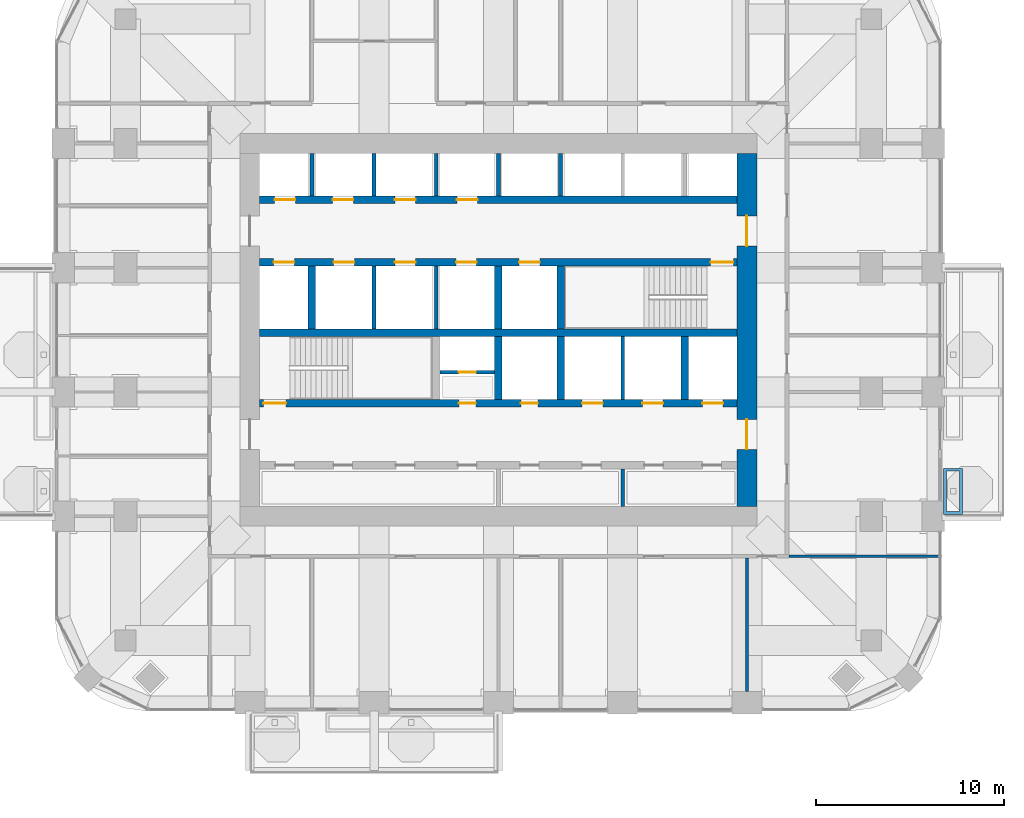
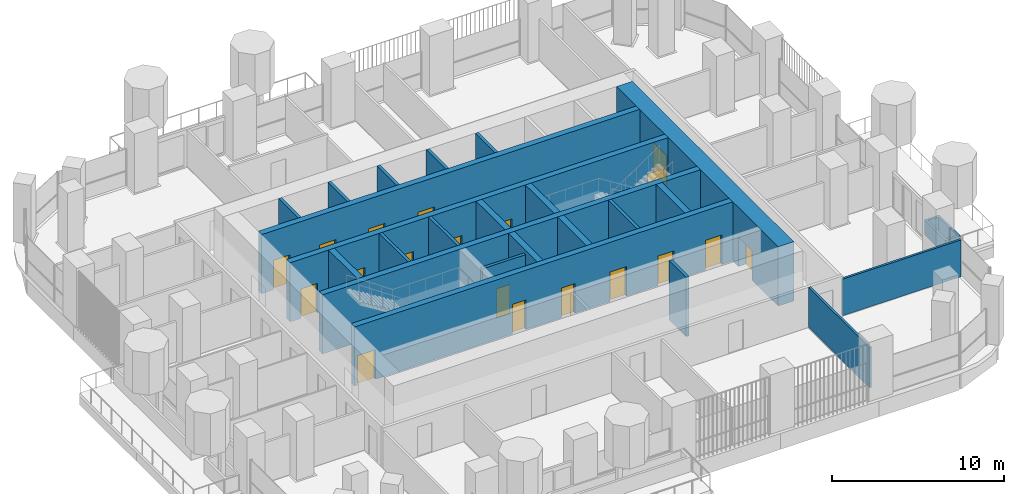
# One storey, part 13 of 20: 24 walls, 19 doors, 19 openings.
"""IFC4 building model written with IfcOpenShell, lengths in metres."""

import ifcopenshell
import ifcopenshell.guid

model = None  # the IFC model being written
_history = None  # IfcOwnerHistory: only IFC2X3 demands one
_inside = {}  # id of a spatial element -> (the spatial element, [elements in it])
_under = {}  # id of a project, library or spatial element -> (it, [spatial elements below it])
_declared = {}  # id of a project -> (the project, [libraries it declares])
_typed = {}  # id of a type object -> (the type object, [elements of that type])
_made_of = {}  # id of a material, layer set ... -> (it, [elements and type objects made of it])


def new_model(schema):
    """Start an empty IFC model of exactly this schema.

    Asked for "IFC4X3", IfcOpenShell would pick the latest addendum, in which some entities
    have other attributes; the version numbers below select the first issue.
    IFC2X3 requires an IfcOwnerHistory on every rooted entity: one is made here for all.
    """
    global model, _history
    if schema == "IFC4X3":
        model = ifcopenshell.file(schema_version=(4, 3, 0, 0))
    else:
        model = ifcopenshell.file(schema=schema)
    _inside.clear()
    _under.clear()
    _declared.clear()
    _typed.clear()
    _made_of.clear()
    _history = None
    if model.schema == "IFC2X3":
        org = make("IfcOrganization", Name="unknown")
        user = make(
            "IfcPersonAndOrganization",
            ThePerson=make("IfcPerson", FamilyName="unknown"),
            TheOrganization=org,
        )
        app = make(
            "IfcApplication",
            ApplicationDeveloper=org,
            Version="unknown",
            ApplicationFullName="unknown",
            ApplicationIdentifier="unknown",
        )
        _history = make(
            "IfcOwnerHistory",
            OwningUser=user,
            OwningApplication=app,
            ChangeAction="ADDED",
            CreationDate=0,
        )
    return model


def make(cls, **values):
    """One entity of the class cls with the attributes given. An attribute that is None is left unset."""
    return model.create_entity(
        cls, **{name: value for name, value in values.items() if value is not None}
    )


def rooted(cls, **values):
    """An entity with a GlobalId (a new one), such as an element, a storey or a relation."""
    return make(cls, GlobalId=ifcopenshell.guid.new(), OwnerHistory=_history, **values)


def si_unit(unit_type, name, prefix=None):
    """IfcSIUnit, for example si_unit("LENGTHUNIT", "METRE", prefix="MILLI")."""
    return make("IfcSIUnit", UnitType=unit_type, Prefix=prefix, Name=name)


def assignment(units):
    """IfcUnitAssignment: the units of a project."""
    return None if units is None else make("IfcUnitAssignment", Units=units)


def point(xyz):
    """IfcCartesianPoint."""
    return None if xyz is None else make("IfcCartesianPoint", Coordinates=xyz)


def direction(xyz):
    """IfcDirection."""
    return None if xyz is None else make("IfcDirection", DirectionRatios=xyz)


def frame(location, z_axis=None, x_axis=None):
    """IfcAxis2Placement3D, a coordinate frame: its origin and axes. An axis left out is left unset."""
    return make(
        "IfcAxis2Placement3D",
        Location=point(location),
        Axis=direction(z_axis),
        RefDirection=direction(x_axis),
    )


def frame_2d(location, x_axis=None):
    """IfcAxis2Placement2D, a coordinate frame in the plane: its origin and x axis."""
    return make(
        "IfcAxis2Placement2D", Location=point(location), RefDirection=direction(x_axis)
    )


def origin():
    """The frame at (0, 0, 0) with its axes left unset."""
    return frame((0.0, 0.0, 0.0))


def place(relative_to, where):
    """IfcLocalPlacement: puts the frame where relative to a parent placement (None: the world)."""
    return make(
        "IfcLocalPlacement", PlacementRelTo=relative_to, RelativePlacement=where
    )


def context(
    kind, dimensions, precision=None, world=None, true_north=None, identifier=None
):
    """IfcGeometricRepresentationContext, for example the 3D "Model" context."""
    return make(
        "IfcGeometricRepresentationContext",
        ContextIdentifier=identifier,
        ContextType=kind,
        CoordinateSpaceDimension=dimensions,
        Precision=precision,
        WorldCoordinateSystem=world,
        TrueNorth=true_north,
    )


def subcontext(parent, identifier, kind, view, scale=None):
    """IfcGeometricRepresentationSubContext, for example "Body" below "Model"."""
    return make(
        "IfcGeometricRepresentationSubContext",
        ContextIdentifier=identifier,
        ContextType=kind,
        ParentContext=parent,
        TargetScale=scale,
        TargetView=view,
    )


def project(units=None, contexts=None):
    """IfcProject with its units and contexts."""
    return rooted(
        "IfcProject",
        Name="project",
        RepresentationContexts=contexts,
        UnitsInContext=assignment(units),
    )


def spatial(cls, under=None, at=None, **own):
    """A site, building, storey or space (cls), placed at a placement, below another one or the project."""
    s = rooted(cls, ObjectPlacement=at, **own)
    if under is not None:
        _under.setdefault(under.id(), (under, []))[1].append(s)
    return s


def polyline(points):
    """IfcPolyline through the points."""
    return make("IfcPolyline", Points=[point(p) for p in points])


def profile(cls, at=None, kind="AREA", **sizes):
    """A parametric profile (cls). Its sizes go by their IFC names, for example OverallWidth=200.0."""
    return make(cls, ProfileType=kind, Position=at, **sizes)


def rectangle(**sizes):
    """IfcRectangleProfileDef."""
    return profile("IfcRectangleProfileDef", **sizes)


def outline(outer, holes=None, kind="AREA"):
    """IfcArbitraryClosedProfileDef: a profile drawn as a closed curve; with holes, ...WithVoids."""
    if holes is None:
        return make("IfcArbitraryClosedProfileDef", ProfileType=kind, OuterCurve=outer)
    return make(
        "IfcArbitraryProfileDefWithVoids",
        ProfileType=kind,
        OuterCurve=outer,
        InnerCurves=holes,
    )


def extrude(swept, where, along, depth):
    """IfcExtrudedAreaSolid: the profile swept, set in the frame where, extruded along a direction by depth."""
    return make(
        "IfcExtrudedAreaSolid",
        SweptArea=swept,
        Position=where,
        ExtrudedDirection=direction(along),
        Depth=depth,
    )


def shape(context_of_items, identifier, shape_type, items):
    """IfcShapeRepresentation: the items that make up one representation, for example the "Body"."""
    return make(
        "IfcShapeRepresentation",
        ContextOfItems=context_of_items,
        RepresentationIdentifier=identifier,
        RepresentationType=shape_type,
        Items=items,
    )


def material(Name=None, Category=None):
    """IfcMaterial."""
    return make("IfcMaterial", Name=Name, Category=Category)


def layer(
    of_material, thickness, ventilated=None, Name=None, Category=None, Priority=None
):
    """IfcMaterialLayer: one layer of a wall or slab, of a material (None: an air gap)."""
    return make(
        "IfcMaterialLayer",
        Material=of_material,
        LayerThickness=thickness,
        IsVentilated=ventilated,
        Name=Name,
        Category=Category,
        Priority=Priority,
    )


def layer_set(layers, Name=None):
    """IfcMaterialLayerSet."""
    return make("IfcMaterialLayerSet", MaterialLayers=layers, LayerSetName=Name)


def made_of(thing, what):
    """Note that an element or type object is made of a material, layer set ...; save() writes the relation."""
    if what is not None:
        _made_of.setdefault(what.id(), (what, []))[1].append(thing)
    return thing


def type_object(cls, material=None, **own):
    """A type object (cls), such as IfcWallType, which elements share."""
    return made_of(rooted(cls, **own), material)


def element(
    cls,
    number,
    at=None,
    inside=None,
    cuts=None,
    type_object=None,
    material=None,
    context=None,
    identifier="Body",
    shape_type=None,
    held_by="IfcProductDefinitionShape",
    body=None,
    shapes=None,
    **own,
):
    """One element of the class cls, such as IfcWall. Its Tag is "e" and its number.

    at: its placement. inside: the storey or other place that contains it. cuts: it is an
    opening in that element (IfcRelVoidsElement). A single representation is given by context,
    identifier, shape_type and body (its items); several are given by shapes. held_by: the class
    of the entity that holds the representations. save() writes the other relations.
    """
    e = rooted(cls, Tag="e%d" % number, ObjectPlacement=at, **own)
    if body is not None:
        shapes = [shape(context, identifier, shape_type, body)]
    if shapes is not None:
        e.Representation = make(held_by, Representations=shapes)
    if inside is not None:
        _inside.setdefault(inside.id(), (inside, []))[1].append(e)
    if cuts is not None:
        rooted(
            "IfcRelVoidsElement", RelatingBuildingElement=cuts, RelatedOpeningElement=e
        )
    if type_object is not None:
        _typed.setdefault(type_object.id(), (type_object, []))[1].append(e)
    return made_of(e, material)


def fill(opening, filler):
    """IfcRelFillsElement: the door or window that sits in an opening."""
    return rooted(
        "IfcRelFillsElement",
        RelatingOpeningElement=opening,
        RelatedBuildingElement=filler,
    )


def aggregate(whole, parts):
    """IfcRelAggregates: a whole, such as a stair, and the parts it consists of."""
    return rooted("IfcRelAggregates", RelatingObject=whole, RelatedObjects=parts)


def save(model, path):
    """Write the relations noted so far, then the file.

    IfcRelAggregates (storeys below a building ...), IfcRelContainedInSpatialStructure (elements
    in a storey), IfcRelDefinesByType, IfcRelAssociatesMaterial and IfcRelDeclares: one each for
    every whole, place, type object, material and project.
    """
    for whole, parts in _under.values():
        aggregate(whole, parts)
    for where, things in _inside.values():
        rooted(
            "IfcRelContainedInSpatialStructure",
            RelatedElements=things,
            RelatingStructure=where,
        )
    for kind, things in _typed.values():
        rooted("IfcRelDefinesByType", RelatedObjects=things, RelatingType=kind)
    for what, things in _made_of.values():
        rooted("IfcRelAssociatesMaterial", RelatedObjects=things, RelatingMaterial=what)
    for by, libraries in _declared.values():
        rooted("IfcRelDeclares", RelatingContext=by, RelatedDefinitions=libraries)
    model.write(path)


model = new_model("IFC4")

# Units and contexts
model_context = context("Model", 3, precision=1e-05, world=origin(), true_north=direction((0.0, 1.0)))
body_context = subcontext(model_context, "Body", "Model", "MODEL_VIEW")
ifc_project = project(units=[si_unit("LENGTHUNIT", "METRE"), si_unit("AREAUNIT", "SQUARE_METRE"), si_unit("VOLUMEUNIT", "CUBIC_METRE"), si_unit("PLANEANGLEUNIT", "RADIAN"), si_unit("MASSUNIT", "GRAM", prefix="KILO")], contexts=[model_context])

# Site, building, storey
site_placement = place(None, origin())
site = spatial("IfcSite", under=ifc_project, at=site_placement, CompositionType="ELEMENT")
building_placement = place(site_placement, origin())
building = spatial("IfcBuilding", under=site, at=building_placement, Name="Cobogo Forest Laboratory Tower", CompositionType="ELEMENT")
storey_placement = place(building_placement, frame((0.0, 0.0, 210.300048828125)))
storey = spatial("IfcBuildingStorey", under=building, at=storey_placement, Name="L48", CompositionType="ELEMENT", Elevation=210.300048828125)

# Wall, openings, doors
ifc_material_1 = material(Name="Concrete HA-50 (C50/60)", Category="concrete")
ifc_layer_1 = layer(ifc_material_1, 0.39990234375)
ifc_layer_set_1 = layer_set([ifc_layer_1], Name="CI400 core inner wall 400")
wall_type_1 = type_object("IfcWallType", Name="CI400 core inner wall 400", PredefinedType="SHEAR", material=ifc_layer_set_1)
wall_1_placement = place(storey_placement, frame((13.72509765625, 19.199951171875, 0.0), z_axis=(0.0, 0.0, 1.0), x_axis=(1.0, 0.0, 0.0)))
wall_1 = element("IfcWall", 1, at=wall_1_placement, inside=storey, type_object=wall_type_1, Name="Core wall CI-19.2 L48", PredefinedType="SHEAR", context=body_context, shape_type="SweptSolid", body=[
    extrude(rectangle(XDim=25.349853515625, YDim=0.39990234375, at=frame_2d((12.6748046875, 0.0))), origin(), (0.0, 0.0, 1.0), 4.199951171875),
])
opening_1_placement = place(wall_1_placement, frame((10.574951171875, 0.0, 0.0)))
opening_1 = element("IfcOpeningElement", 2, at=opening_1_placement, cuts=wall_1, Name="Opening L48-D24", PredefinedType="OPENING", context=body_context, shape_type="SweptSolid", body=[
    extrude(rectangle(XDim=0.89990234375, YDim=2.10009765625, at=frame_2d((0.449951171875, 1.050048828125))), frame((0.0, 0.2099609375, 0.0), z_axis=(0.0, -1.0, 0.0), x_axis=(1.0, 0.0, 0.0)), (0.0, 0.0, 1.0), 0.419921875),
])
opening_2_placement = place(wall_1_placement, frame((13.875, 0.0, 0.0)))
opening_2 = element("IfcOpeningElement", 3, at=opening_2_placement, cuts=wall_1, Name="Opening L48-D25", PredefinedType="OPENING", context=body_context, shape_type="SweptSolid", body=[
    extrude(rectangle(XDim=0.89990234375, YDim=2.10009765625, at=frame_2d((0.449951171875, 1.050048828125))), frame((0.0, 0.2099609375, 0.0), z_axis=(0.0, -1.0, 0.0), x_axis=(1.0, 0.0, 0.0)), (0.0, 0.0, 1.0), 0.419921875),
])
opening_3_placement = place(wall_1_placement, frame((0.199951171875, 0.0, 0.0)))
opening_3 = element("IfcOpeningElement", 4, at=opening_3_placement, cuts=wall_1, Name="Opening L48-D23", PredefinedType="OPENING", context=body_context, shape_type="SweptSolid", body=[
    extrude(rectangle(XDim=1.199951171875, YDim=2.10009765625, at=frame_2d((0.60009765625, 1.050048828125))), frame((0.0, 0.2099609375, 0.0), z_axis=(0.0, -1.0, 0.0), x_axis=(1.0, 0.0, 0.0)), (0.0, 0.0, 1.0), 0.419921875),
])
opening_4_placement = place(wall_1_placement, frame((23.512451171875, 0.0, 0.0)))
opening_4 = element("IfcOpeningElement", 5, at=opening_4_placement, cuts=wall_1, Name="Opening L48-LD-FL2", PredefinedType="OPENING", context=body_context, shape_type="SweptSolid", body=[
    extrude(rectangle(XDim=1.10009765625, YDim=2.10009765625, at=frame_2d((0.550048828125, 1.050048828125))), frame((0.0, 0.2099609375, 0.0), z_axis=(0.0, -1.0, 0.0), x_axis=(1.0, 0.0, 0.0)), (0.0, 0.0, 1.0), 0.419921875),
])
opening_5_placement = place(wall_1_placement, frame((17.125, 0.0, 0.0)))
opening_5 = element("IfcOpeningElement", 6, at=opening_5_placement, cuts=wall_1, Name="Opening L48-LD-LS1", PredefinedType="OPENING", context=body_context, shape_type="SweptSolid", body=[
    extrude(rectangle(XDim=1.10009765625, YDim=2.10009765625, at=frame_2d((0.550048828125, 1.050048828125))), frame((0.0, 0.2099609375, 0.0), z_axis=(0.0, -1.0, 0.0), x_axis=(1.0, 0.0, 0.0)), (0.0, 0.0, 1.0), 0.419921875),
])
opening_6_placement = place(wall_1_placement, frame((20.324951171875, 0.0, 0.0)))
opening_6 = element("IfcOpeningElement", 7, at=opening_6_placement, cuts=wall_1, Name="Opening L48-LD-LS2", PredefinedType="OPENING", context=body_context, shape_type="SweptSolid", body=[
    extrude(rectangle(XDim=1.10009765625, YDim=2.10009765625, at=frame_2d((0.550048828125, 1.050048828125))), frame((0.0, 0.2099609375, 0.0), z_axis=(0.0, -1.0, 0.0), x_axis=(1.0, 0.0, 0.0)), (0.0, 0.0, 1.0), 0.419921875),
])
ifc_material_2 = material(Name="Steel fire door", Category="steel")
door_type_1 = type_object("IfcDoorType", Name="DS1 protected stair door 1200 EI2 60", OperationType="SINGLE_SWING_LEFT", PredefinedType="DOOR", material=ifc_material_2)
door_1_placement = place(opening_3_placement, origin())
door_1 = element("IfcDoor", 8, at=door_1_placement, inside=storey, type_object=door_type_1, Name="Door L48-ST1", OperationType="SINGLE_SWING_LEFT", OverallHeight=2.10009765625, OverallWidth=1.199951171875, PredefinedType="DOOR", context=body_context, shape_type="SweptSolid", body=[
    extrude(rectangle(XDim=1.199951171875, YDim=2.10009765625, at=frame_2d((0.60009765625, 1.050048828125))), frame((0.0, 0.02490234375, 0.0), z_axis=(0.0, -1.0, 0.0), x_axis=(1.0, 0.0, 0.0)), (0.0, 0.0, 1.0), 0.050048828125),
])
fill(opening_3, door_1)
door_type_2 = type_object("IfcDoorType", Name="FD4 riser access door 900 EI2 60", OperationType="SINGLE_SWING_LEFT", PredefinedType="DOOR", material=ifc_material_2)
door_2_placement = place(opening_1_placement, origin())
door_2 = element("IfcDoor", 9, at=door_2_placement, inside=storey, type_object=door_type_2, Name="Door L48-R1V", OperationType="SINGLE_SWING_LEFT", OverallHeight=2.10009765625, OverallWidth=0.89990234375, PredefinedType="DOOR", context=body_context, shape_type="SweptSolid", body=[
    extrude(rectangle(XDim=0.89990234375, YDim=2.10009765625, at=frame_2d((0.449951171875, 1.050048828125))), frame((0.0, 0.02490234375, 0.0), z_axis=(0.0, -1.0, 0.0), x_axis=(1.0, 0.0, 0.0)), (0.0, 0.0, 1.0), 0.050048828125),
])
fill(opening_1, door_2)
door_3_placement = place(opening_2_placement, origin())
door_3 = element("IfcDoor", 10, at=door_3_placement, inside=storey, type_object=door_type_2, Name="Door L48-R2", OperationType="SINGLE_SWING_RIGHT", OverallHeight=2.10009765625, OverallWidth=0.89990234375, PredefinedType="DOOR", context=body_context, shape_type="SweptSolid", body=[
    extrude(rectangle(XDim=0.89990234375, YDim=2.10009765625, at=frame_2d((0.449951171875, 1.050048828125))), frame((0.0, 0.02490234375, 0.0), z_axis=(0.0, -1.0, 0.0), x_axis=(1.0, 0.0, 0.0)), (0.0, 0.0, 1.0), 0.050048828125),
])
fill(opening_2, door_3)
ifc_material_3 = material(Name="Stainless steel lift door", Category="steel")
door_type_3 = type_object("IfcDoorType", Name="LD lift landing door 1100", OperationType="DOUBLE_DOOR_SLIDING", PredefinedType="DOOR", material=ifc_material_3)
door_4_placement = place(opening_4_placement, origin())
door_4 = element("IfcDoor", 11, at=door_4_placement, inside=storey, type_object=door_type_3, Name="Lift landing door FL2 L48", OperationType="DOUBLE_DOOR_SLIDING", OverallHeight=2.10009765625, OverallWidth=1.10009765625, PredefinedType="DOOR", context=body_context, shape_type="SweptSolid", body=[
    extrude(rectangle(XDim=1.10009765625, YDim=2.10009765625, at=frame_2d((0.550048828125, 1.050048828125))), frame((0.0, 0.02490234375, 0.0), z_axis=(0.0, -1.0, 0.0), x_axis=(1.0, 0.0, 0.0)), (0.0, 0.0, 1.0), 0.050048828125),
])
fill(opening_4, door_4)
door_5_placement = place(opening_5_placement, origin())
door_5 = element("IfcDoor", 12, at=door_5_placement, inside=storey, type_object=door_type_3, Name="Lift landing door LS1 L48", OperationType="DOUBLE_DOOR_SLIDING", OverallHeight=2.10009765625, OverallWidth=1.10009765625, PredefinedType="DOOR", context=body_context, shape_type="SweptSolid", body=[
    extrude(rectangle(XDim=1.10009765625, YDim=2.10009765625, at=frame_2d((0.550048828125, 1.050048828125))), frame((0.0, 0.02490234375, 0.0), z_axis=(0.0, -1.0, 0.0), x_axis=(1.0, 0.0, 0.0)), (0.0, 0.0, 1.0), 0.050048828125),
])
fill(opening_5, door_5)
door_6_placement = place(opening_6_placement, origin())
door_6 = element("IfcDoor", 13, at=door_6_placement, inside=storey, type_object=door_type_3, Name="Lift landing door LS2 L48", OperationType="DOUBLE_DOOR_SLIDING", OverallHeight=2.10009765625, OverallWidth=1.10009765625, PredefinedType="DOOR", context=body_context, shape_type="SweptSolid", body=[
    extrude(rectangle(XDim=1.10009765625, YDim=2.10009765625, at=frame_2d((0.550048828125, 1.050048828125))), frame((0.0, 0.02490234375, 0.0), z_axis=(0.0, -1.0, 0.0), x_axis=(1.0, 0.0, 0.0)), (0.0, 0.0, 1.0), 0.050048828125),
])
fill(opening_6, door_6)

# Wall
wall_2_placement = place(storey_placement, frame((13.72509765625, 22.949951171875, 0.0), z_axis=(0.0, 0.0, 1.0), x_axis=(1.0, 0.0, 0.0)))
element("IfcWall", 14, at=wall_2_placement, inside=storey, type_object=wall_type_1, Name="Core wall CI-22.95 L48", PredefinedType="SHEAR", context=body_context, shape_type="SweptSolid", body=[
    extrude(rectangle(XDim=25.349853515625, YDim=0.39990234375, at=frame_2d((12.6748046875, 0.0))), origin(), (0.0, 0.0, 1.0), 4.199951171875),
])

# Wall, openings, doors
wall_3_placement = place(storey_placement, frame((13.72509765625, 26.699951171875, 0.0), z_axis=(0.0, 0.0, 1.0), x_axis=(1.0, 0.0, 0.0)))
wall_3 = element("IfcWall", 15, at=wall_3_placement, inside=storey, type_object=wall_type_1, Name="Core wall CI-26.7 L48", PredefinedType="SHEAR", context=body_context, shape_type="SweptSolid", body=[
    extrude(rectangle(XDim=25.349853515625, YDim=0.39990234375, at=frame_2d((12.6748046875, 0.0))), origin(), (0.0, 0.0, 1.0), 4.199951171875),
])
opening_7_placement = place(wall_3_placement, frame((23.949951171875, 0.0, 0.0)))
opening_7 = element("IfcOpeningElement", 16, at=opening_7_placement, cuts=wall_3, Name="Opening L48-D31", PredefinedType="OPENING", context=body_context, shape_type="SweptSolid", body=[
    extrude(rectangle(XDim=1.199951171875, YDim=2.10009765625, at=frame_2d((0.60009765625, 1.050048828125))), frame((0.0, 0.2099609375, 0.0), z_axis=(0.0, -1.0, 0.0), x_axis=(1.0, 0.0, 0.0)), (0.0, 0.0, 1.0), 0.419921875),
])
opening_8_placement = place(wall_3_placement, frame((0.737548828125, 0.0, 0.0)))
opening_8 = element("IfcOpeningElement", 17, at=opening_8_placement, cuts=wall_3, Name="Opening L48-LD-FL1", PredefinedType="OPENING", context=body_context, shape_type="SweptSolid", body=[
    extrude(rectangle(XDim=1.10009765625, YDim=2.10009765625, at=frame_2d((0.550048828125, 1.050048828125))), frame((0.0, 0.2099609375, 0.0), z_axis=(0.0, -1.0, 0.0), x_axis=(1.0, 0.0, 0.0)), (0.0, 0.0, 1.0), 0.419921875),
])
opening_9_placement = place(wall_3_placement, frame((3.925048828125, 0.0, 0.0)))
opening_9 = element("IfcOpeningElement", 18, at=opening_9_placement, cuts=wall_3, Name="Opening L48-LD-LS3", PredefinedType="OPENING", context=body_context, shape_type="SweptSolid", body=[
    extrude(rectangle(XDim=1.10009765625, YDim=2.10009765625, at=frame_2d((0.550048828125, 1.050048828125))), frame((0.0, 0.2099609375, 0.0), z_axis=(0.0, -1.0, 0.0), x_axis=(1.0, 0.0, 0.0)), (0.0, 0.0, 1.0), 0.419921875),
])
opening_10_placement = place(wall_3_placement, frame((7.175048828125, 0.0, 0.0)))
opening_10 = element("IfcOpeningElement", 19, at=opening_10_placement, cuts=wall_3, Name="Opening L48-LD-LS4", PredefinedType="OPENING", context=body_context, shape_type="SweptSolid", body=[
    extrude(rectangle(XDim=1.10009765625, YDim=2.10009765625, at=frame_2d((0.550048828125, 1.050048828125))), frame((0.0, 0.2099609375, 0.0), z_axis=(0.0, -1.0, 0.0), x_axis=(1.0, 0.0, 0.0)), (0.0, 0.0, 1.0), 0.419921875),
])
opening_11_placement = place(wall_3_placement, frame((10.425048828125, 0.0, 0.0)))
opening_11 = element("IfcOpeningElement", 20, at=opening_11_placement, cuts=wall_3, Name="Opening L48-LD-LS5", PredefinedType="OPENING", context=body_context, shape_type="SweptSolid", body=[
    extrude(rectangle(XDim=1.10009765625, YDim=2.10009765625, at=frame_2d((0.550048828125, 1.050048828125))), frame((0.0, 0.2099609375, 0.0), z_axis=(0.0, -1.0, 0.0), x_axis=(1.0, 0.0, 0.0)), (0.0, 0.0, 1.0), 0.419921875),
])
opening_12_placement = place(wall_3_placement, frame((13.77490234375, 0.0, 0.0)))
opening_12 = element("IfcOpeningElement", 21, at=opening_12_placement, cuts=wall_3, Name="Opening L48-LD-LS6", PredefinedType="OPENING", context=body_context, shape_type="SweptSolid", body=[
    extrude(rectangle(XDim=1.10009765625, YDim=2.10009765625, at=frame_2d((0.550048828125, 1.050048828125))), frame((0.0, 0.2099609375, 0.0), z_axis=(0.0, -1.0, 0.0), x_axis=(1.0, 0.0, 0.0)), (0.0, 0.0, 1.0), 0.419921875),
])
door_7_placement = place(opening_7_placement, origin())
door_7 = element("IfcDoor", 22, at=door_7_placement, inside=storey, type_object=door_type_1, Name="Door L48-ST2", OperationType="SINGLE_SWING_RIGHT", OverallHeight=2.10009765625, OverallWidth=1.199951171875, PredefinedType="DOOR", context=body_context, shape_type="SweptSolid", body=[
    extrude(rectangle(XDim=1.199951171875, YDim=2.10009765625, at=frame_2d((0.60009765625, 1.050048828125))), frame((0.0, 0.02490234375, 0.0), z_axis=(0.0, -1.0, 0.0), x_axis=(1.0, 0.0, 0.0)), (0.0, 0.0, 1.0), 0.050048828125),
])
fill(opening_7, door_7)
door_8_placement = place(opening_8_placement, origin())
door_8 = element("IfcDoor", 23, at=door_8_placement, inside=storey, type_object=door_type_3, Name="Lift landing door FL1 L48", OperationType="DOUBLE_DOOR_SLIDING", OverallHeight=2.10009765625, OverallWidth=1.10009765625, PredefinedType="DOOR", context=body_context, shape_type="SweptSolid", body=[
    extrude(rectangle(XDim=1.10009765625, YDim=2.10009765625, at=frame_2d((0.550048828125, 1.050048828125))), frame((0.0, 0.02490234375, 0.0), z_axis=(0.0, -1.0, 0.0), x_axis=(1.0, 0.0, 0.0)), (0.0, 0.0, 1.0), 0.050048828125),
])
fill(opening_8, door_8)
door_9_placement = place(opening_9_placement, origin())
door_9 = element("IfcDoor", 24, at=door_9_placement, inside=storey, type_object=door_type_3, Name="Lift landing door LS3 L48", OperationType="DOUBLE_DOOR_SLIDING", OverallHeight=2.10009765625, OverallWidth=1.10009765625, PredefinedType="DOOR", context=body_context, shape_type="SweptSolid", body=[
    extrude(rectangle(XDim=1.10009765625, YDim=2.10009765625, at=frame_2d((0.550048828125, 1.050048828125))), frame((0.0, 0.02490234375, 0.0), z_axis=(0.0, -1.0, 0.0), x_axis=(1.0, 0.0, 0.0)), (0.0, 0.0, 1.0), 0.050048828125),
])
fill(opening_9, door_9)
door_10_placement = place(opening_10_placement, origin())
door_10 = element("IfcDoor", 25, at=door_10_placement, inside=storey, type_object=door_type_3, Name="Lift landing door LS4 L48", OperationType="DOUBLE_DOOR_SLIDING", OverallHeight=2.10009765625, OverallWidth=1.10009765625, PredefinedType="DOOR", context=body_context, shape_type="SweptSolid", body=[
    extrude(rectangle(XDim=1.10009765625, YDim=2.10009765625, at=frame_2d((0.550048828125, 1.050048828125))), frame((0.0, 0.02490234375, 0.0), z_axis=(0.0, -1.0, 0.0), x_axis=(1.0, 0.0, 0.0)), (0.0, 0.0, 1.0), 0.050048828125),
])
fill(opening_10, door_10)
door_11_placement = place(opening_11_placement, origin())
door_11 = element("IfcDoor", 26, at=door_11_placement, inside=storey, type_object=door_type_3, Name="Lift landing door LS5 L48", OperationType="DOUBLE_DOOR_SLIDING", OverallHeight=2.10009765625, OverallWidth=1.10009765625, PredefinedType="DOOR", context=body_context, shape_type="SweptSolid", body=[
    extrude(rectangle(XDim=1.10009765625, YDim=2.10009765625, at=frame_2d((0.550048828125, 1.050048828125))), frame((0.0, 0.02490234375, 0.0), z_axis=(0.0, -1.0, 0.0), x_axis=(1.0, 0.0, 0.0)), (0.0, 0.0, 1.0), 0.050048828125),
])
fill(opening_11, door_11)
door_12_placement = place(opening_12_placement, origin())
door_12 = element("IfcDoor", 27, at=door_12_placement, inside=storey, type_object=door_type_3, Name="Lift landing door LS6 L48", OperationType="DOUBLE_DOOR_SLIDING", OverallHeight=2.10009765625, OverallWidth=1.10009765625, PredefinedType="DOOR", context=body_context, shape_type="SweptSolid", body=[
    extrude(rectangle(XDim=1.10009765625, YDim=2.10009765625, at=frame_2d((0.550048828125, 1.050048828125))), frame((0.0, 0.02490234375, 0.0), z_axis=(0.0, -1.0, 0.0), x_axis=(1.0, 0.0, 0.0)), (0.0, 0.0, 1.0), 0.050048828125),
])
fill(opening_12, door_12)

wall_4_placement = place(storey_placement, frame((13.72509765625, 30.0, 0.0), z_axis=(0.0, 0.0, 1.0), x_axis=(1.0, 0.0, 0.0)))
wall_4 = element("IfcWall", 28, at=wall_4_placement, inside=storey, type_object=wall_type_1, Name="Core wall CI-30.0 L48", PredefinedType="SHEAR", context=body_context, shape_type="SweptSolid", body=[
    extrude(rectangle(XDim=25.349853515625, YDim=0.39990234375, at=frame_2d((12.6748046875, 0.0))), origin(), (0.0, 0.0, 1.0), 4.199951171875),
])
opening_13_placement = place(wall_4_placement, frame((0.78759765625, 0.0, 0.0)))
opening_13 = element("IfcOpeningElement", 29, at=opening_13_placement, cuts=wall_4, Name="Opening L48-LD-LC1", PredefinedType="OPENING", context=body_context, shape_type="SweptSolid", body=[
    extrude(rectangle(XDim=1.10009765625, YDim=2.10009765625, at=frame_2d((0.550048828125, 1.050048828125))), frame((0.0, 0.2099609375, 0.0), z_axis=(0.0, -1.0, 0.0), x_axis=(1.0, 0.0, 0.0)), (0.0, 0.0, 1.0), 0.419921875),
])
opening_14_placement = place(wall_4_placement, frame((3.875, 0.0, 0.0)))
opening_14 = element("IfcOpeningElement", 30, at=opening_14_placement, cuts=wall_4, Name="Opening L48-LD-LC2", PredefinedType="OPENING", context=body_context, shape_type="SweptSolid", body=[
    extrude(rectangle(XDim=1.10009765625, YDim=2.10009765625, at=frame_2d((0.550048828125, 1.050048828125))), frame((0.0, 0.2099609375, 0.0), z_axis=(0.0, -1.0, 0.0), x_axis=(1.0, 0.0, 0.0)), (0.0, 0.0, 1.0), 0.419921875),
])
opening_15_placement = place(wall_4_placement, frame((7.175048828125, 0.0, 0.0)))
opening_15 = element("IfcOpeningElement", 31, at=opening_15_placement, cuts=wall_4, Name="Opening L48-LD-LC3", PredefinedType="OPENING", context=body_context, shape_type="SweptSolid", body=[
    extrude(rectangle(XDim=1.10009765625, YDim=2.10009765625, at=frame_2d((0.550048828125, 1.050048828125))), frame((0.0, 0.2099609375, 0.0), z_axis=(0.0, -1.0, 0.0), x_axis=(1.0, 0.0, 0.0)), (0.0, 0.0, 1.0), 0.419921875),
])
opening_16_placement = place(wall_4_placement, frame((10.47509765625, 0.0, 0.0)))
opening_16 = element("IfcOpeningElement", 32, at=opening_16_placement, cuts=wall_4, Name="Opening L48-LD-LC4", PredefinedType="OPENING", context=body_context, shape_type="SweptSolid", body=[
    extrude(rectangle(XDim=1.10009765625, YDim=2.10009765625, at=frame_2d((0.550048828125, 1.050048828125))), frame((0.0, 0.2099609375, 0.0), z_axis=(0.0, -1.0, 0.0), x_axis=(1.0, 0.0, 0.0)), (0.0, 0.0, 1.0), 0.419921875),
])
door_13_placement = place(opening_13_placement, origin())
door_13 = element("IfcDoor", 33, at=door_13_placement, inside=storey, type_object=door_type_3, Name="Lift landing door LC1 L48", OperationType="DOUBLE_DOOR_SLIDING", OverallHeight=2.10009765625, OverallWidth=1.10009765625, PredefinedType="DOOR", context=body_context, shape_type="SweptSolid", body=[
    extrude(rectangle(XDim=1.10009765625, YDim=2.10009765625, at=frame_2d((0.550048828125, 1.050048828125))), frame((0.0, 0.02490234375, 0.0), z_axis=(0.0, -1.0, 0.0), x_axis=(1.0, 0.0, 0.0)), (0.0, 0.0, 1.0), 0.050048828125),
])
fill(opening_13, door_13)
door_14_placement = place(opening_14_placement, origin())
door_14 = element("IfcDoor", 34, at=door_14_placement, inside=storey, type_object=door_type_3, Name="Lift landing door LC2 L48", OperationType="DOUBLE_DOOR_SLIDING", OverallHeight=2.10009765625, OverallWidth=1.10009765625, PredefinedType="DOOR", context=body_context, shape_type="SweptSolid", body=[
    extrude(rectangle(XDim=1.10009765625, YDim=2.10009765625, at=frame_2d((0.550048828125, 1.050048828125))), frame((0.0, 0.02490234375, 0.0), z_axis=(0.0, -1.0, 0.0), x_axis=(1.0, 0.0, 0.0)), (0.0, 0.0, 1.0), 0.050048828125),
])
fill(opening_14, door_14)
door_15_placement = place(opening_15_placement, origin())
door_15 = element("IfcDoor", 35, at=door_15_placement, inside=storey, type_object=door_type_3, Name="Lift landing door LC3 L48", OperationType="DOUBLE_DOOR_SLIDING", OverallHeight=2.10009765625, OverallWidth=1.10009765625, PredefinedType="DOOR", context=body_context, shape_type="SweptSolid", body=[
    extrude(rectangle(XDim=1.10009765625, YDim=2.10009765625, at=frame_2d((0.550048828125, 1.050048828125))), frame((0.0, 0.02490234375, 0.0), z_axis=(0.0, -1.0, 0.0), x_axis=(1.0, 0.0, 0.0)), (0.0, 0.0, 1.0), 0.050048828125),
])
fill(opening_15, door_15)
door_16_placement = place(opening_16_placement, origin())
door_16 = element("IfcDoor", 36, at=door_16_placement, inside=storey, type_object=door_type_3, Name="Lift landing door LC4 L48", OperationType="DOUBLE_DOOR_SLIDING", OverallHeight=2.10009765625, OverallWidth=1.10009765625, PredefinedType="DOOR", context=body_context, shape_type="SweptSolid", body=[
    extrude(rectangle(XDim=1.10009765625, YDim=2.10009765625, at=frame_2d((0.550048828125, 1.050048828125))), frame((0.0, 0.02490234375, 0.0), z_axis=(0.0, -1.0, 0.0), x_axis=(1.0, 0.0, 0.0)), (0.0, 0.0, 1.0), 0.050048828125),
])
fill(opening_16, door_16)

# Walls
for number, where, z_axis, x_axis, name in (
    (37, (26.39990234375, 19.39990234375, 0.0), (0.0, 0.0, 1.0), (0.0, 1.0, 0.0), "Core wall CX-26.4S L48"),
    (38, (29.699951171875, 19.39990234375, 0.0), (0.0, 0.0, 1.0), (0.0, 1.0, 0.0), "Core wall CX-29.7S L48"),
    (39, (36.300048828125, 19.39990234375, 0.0), (0.0, 0.0, 1.0), (0.0, 1.0, 0.0), "Core wall CX-36.3 L48"),
    (40, (16.5, 23.14990234375, 0.0), (0.0, 0.0, 1.0), (0.0, 1.0, 0.0), "Core wall CX-16.5 L48"),
    (41, (26.39990234375, 23.14990234375, 0.0), (0.0, 0.0, 1.0), (0.0, 1.0, 0.0), "Core wall CX-26.4N L48"),
    (42, (29.699951171875, 23.14990234375, 0.0), (0.0, 0.0, 1.0), (0.0, 1.0, 0.0), "Core wall CX-29.7N L48"),
):
    element("IfcWall", number, at=place(storey_placement, frame(where, z_axis=z_axis, x_axis=x_axis)), inside=storey, type_object=wall_type_1, Name=name, PredefinedType="SHEAR", context=body_context, shape_type="SweptSolid", body=[
        extrude(rectangle(XDim=3.35009765625, YDim=0.39990234375, at=frame_2d((1.675048828125, 0.0))), origin(), (0.0, 0.0, 1.0), 4.199951171875),
    ])

# Wall, openings, doors
ifc_layer_2 = layer(ifc_material_1, 1.050048828125)
ifc_layer_set_2 = layer_set([ifc_layer_2], Name="CW1050 core outer wall 1050")
wall_type_2 = type_object("IfcWallType", Name="CW1050 core outer wall 1050", PredefinedType="SHEAR", material=ifc_layer_set_2)
wall_5_placement = place(storey_placement, frame((39.60009765625, 13.72509765625, 0.0), z_axis=(0.0, 0.0, 1.0), x_axis=(0.0, 1.0, 0.0)))
wall_5 = element("IfcWall", 43, at=wall_5_placement, inside=storey, type_object=wall_type_2, Name="Core wall CO-E L48", PredefinedType="SHEAR", context=body_context, shape_type="SweptSolid", body=[
    extrude(rectangle(XDim=18.75, YDim=1.050048828125, at=frame_2d((9.375, 0.0))), origin(), (0.0, 0.0, 1.0), 4.199951171875),
])
opening_17_placement = place(wall_5_placement, frame((3.02490234375, 0.0, 0.0)))
opening_17 = element("IfcOpeningElement", 44, at=opening_17_placement, cuts=wall_5, Name="Opening L48-D21", PredefinedType="OPENING", context=body_context, shape_type="SweptSolid", body=[
    extrude(rectangle(XDim=1.60009765625, YDim=2.10009765625, at=frame_2d((0.800048828125, 1.050048828125))), frame((0.0, 0.534912109375, 0.0), z_axis=(0.0, -1.0, 0.0), x_axis=(1.0, 0.0, 0.0)), (0.0, 0.0, 1.0), 1.070068359375),
])
opening_18_placement = place(wall_5_placement, frame((13.824951171875, 0.0, 0.0)))
opening_18 = element("IfcOpeningElement", 45, at=opening_18_placement, cuts=wall_5, Name="Opening L48-D34", PredefinedType="OPENING", context=body_context, shape_type="SweptSolid", body=[
    extrude(rectangle(XDim=1.60009765625, YDim=2.10009765625, at=frame_2d((0.800048828125, 1.050048828125))), frame((0.0, 0.534912109375, 0.0), z_axis=(0.0, -1.0, 0.0), x_axis=(1.0, 0.0, 0.0)), (0.0, 0.0, 1.0), 1.070068359375),
])
door_type_4 = type_object("IfcDoorType", Name="DS2 protected lobby door pair 1600 EI2 60", OperationType="DOUBLE_DOOR_DOUBLE_SWING", PredefinedType="DOOR", material=ifc_material_2)
door_17_placement = place(opening_17_placement, origin())
door_17 = element("IfcDoor", 46, at=door_17_placement, inside=storey, type_object=door_type_4, Name="Door L48-CO-E-S", OperationType="DOUBLE_DOOR_DOUBLE_SWING", OverallHeight=2.10009765625, OverallWidth=1.60009765625, PredefinedType="DOOR", context=body_context, shape_type="SweptSolid", body=[
    extrude(rectangle(XDim=1.60009765625, YDim=2.10009765625, at=frame_2d((0.800048828125, 1.050048828125))), frame((0.0, 0.02490234375, 0.0), z_axis=(0.0, -1.0, 0.0), x_axis=(1.0, 0.0, 0.0)), (0.0, 0.0, 1.0), 0.050048828125),
])
fill(opening_17, door_17)
door_18_placement = place(opening_18_placement, origin())
door_18 = element("IfcDoor", 47, at=door_18_placement, inside=storey, type_object=door_type_4, Name="Door L48-CO-E-N", OperationType="DOUBLE_DOOR_DOUBLE_SWING", OverallHeight=2.10009765625, OverallWidth=1.60009765625, PredefinedType="DOOR", context=body_context, shape_type="SweptSolid", body=[
    extrude(rectangle(XDim=1.60009765625, YDim=2.10009765625, at=frame_2d((0.800048828125, 1.050048828125))), frame((0.0, 0.02490234375, 0.0), z_axis=(0.0, -1.0, 0.0), x_axis=(1.0, 0.0, 0.0)), (0.0, 0.0, 1.0), 0.050048828125),
])
fill(opening_18, door_18)

# Walls
ifc_material_4 = material(Name="Gypsum board on steel studs", Category="steel")
ifc_layer_3 = layer(ifc_material_4, 0.14990234375)
ifc_layer_set_3 = layer_set([ifc_layer_3], Name="PT1 laboratory partition 150")
wall_type_3 = type_object("IfcWallType", Name="PT1 laboratory partition 150", PredefinedType="PARTITIONING", material=ifc_layer_set_3)
wall_6_placement = place(storey_placement, frame((49.77001953125, 11.074951171875, 0.0), z_axis=(0.0, 0.0, 1.0), x_axis=(-1.0, 0.0, 0.0)))
element("IfcWall", 48, at=wall_6_placement, inside=storey, type_object=wall_type_3, Name="Partition PW-SE L48", PredefinedType="PARTITIONING", context=body_context, shape_type="SweptSolid", body=[
    extrude(rectangle(XDim=7.945068359375, YDim=0.14990234375, at=frame_2d((3.97265625, 0.0))), origin(), (0.0, 0.0, 1.0), 2.599853515625),
])
wall_7_placement = place(storey_placement, frame((39.60009765625, 3.89990234375, 0.0), z_axis=(0.0, 0.0, 1.0), x_axis=(0.0, 1.0, 0.0)))
element("IfcWall", 49, at=wall_7_placement, inside=storey, type_object=wall_type_3, Name="Partition CUT-S39.6-1 L48", PredefinedType="PARTITIONING", context=body_context, shape_type="SweptSolid", body=[
    extrude(rectangle(XDim=7.0751953125, YDim=0.14990234375, at=frame_2d((3.53759765625, 0.0))), origin(), (0.0, 0.0, 1.0), 2.849853515625),
])

# Wall, opening, door
ifc_layer_4 = layer(ifc_material_4, 0.199951171875)
ifc_layer_set_4 = layer_set([ifc_layer_4], Name="PT2 fire-rated corridor partition 200")
wall_type_4 = type_object("IfcWallType", Name="PT2 fire-rated corridor partition 200", PredefinedType="PARTITIONING", material=ifc_layer_set_4)
wall_8_placement = place(storey_placement, frame((23.300048828125, 20.85009765625, 0.0), z_axis=(0.0, 0.0, 1.0), x_axis=(1.0, 0.0, 0.0)))
wall_8 = element("IfcWall", 50, at=wall_8_placement, inside=storey, type_object=wall_type_4, Name="Partition RSPLIT-R1 L48", PredefinedType="PARTITIONING", context=body_context, shape_type="SweptSolid", body=[
    extrude(rectangle(XDim=2.89990234375, YDim=0.199951171875, at=frame_2d((1.449951171875, 0.0))), origin(), (0.0, 0.0, 1.0), 3.89990234375),
])
opening_19_placement = place(wall_8_placement, frame((1.0, 0.0, 0.0)))
opening_19 = element("IfcOpeningElement", 51, at=opening_19_placement, cuts=wall_8, Name="Opening L48-D26", PredefinedType="OPENING", context=body_context, shape_type="SweptSolid", body=[
    extrude(rectangle(XDim=0.89990234375, YDim=2.10009765625, at=frame_2d((0.449951171875, 1.050048828125))), frame((0.0, 0.10986328125, 0.0), z_axis=(0.0, -1.0, 0.0), x_axis=(1.0, 0.0, 0.0)), (0.0, 0.0, 1.0), 0.219970703125),
])
door_19_placement = place(opening_19_placement, origin())
door_19 = element("IfcDoor", 52, at=door_19_placement, inside=storey, type_object=door_type_2, Name="Door L48-R1", OperationType="SINGLE_SWING_LEFT", OverallHeight=2.10009765625, OverallWidth=0.89990234375, PredefinedType="DOOR", context=body_context, shape_type="SweptSolid", body=[
    extrude(rectangle(XDim=0.89990234375, YDim=2.10009765625, at=frame_2d((0.449951171875, 1.050048828125))), frame((0.0, 0.02490234375, 0.0), z_axis=(0.0, -1.0, 0.0), x_axis=(1.0, 0.0, 0.0)), (0.0, 0.0, 1.0), 0.050048828125),
])
fill(opening_19, door_19)

# Walls
ifc_material_5 = material(Name="Concrete HA-40 (C40/50)", Category="concrete")
ifc_layer_5 = layer(ifc_material_5, 0.14990234375)
ifc_layer_set_5 = layer_set([ifc_layer_5], Name="Planter box 1000x1050")
wall_type_5 = type_object("IfcWallType", Name="Planter box 1000x1050", PredefinedType="USERDEFINED", material=ifc_layer_set_5)
wall_9_placement = place(storey_placement, origin())
element("IfcWall", 53, at=wall_9_placement, inside=storey, type_object=wall_type_5, Name="Planter BAL-E1-1 L48", ObjectType="PLANTER", PredefinedType="USERDEFINED", context=body_context, shape_type="SweptSolid", body=[
    extrude(outline(polyline([(50.050048828125, 13.300048828125), (51.050048828125, 13.300048828125), (51.050048828125, 15.75), (50.050048828125, 15.75), (50.050048828125, 13.300048828125)]), holes=[polyline([(50.199951171875, 13.449951171875), (50.89990234375, 13.449951171875), (50.89990234375, 15.60009765625), (50.199951171875, 15.60009765625), (50.199951171875, 13.449951171875)])]), origin(), (0.0, 0.0, 1.0), 1.050048828125),
])
ifc_material_6 = material(Name="Concrete block", Category="concrete")
ifc_layer_6 = layer(ifc_material_6, 0.199951171875)
ifc_layer_set_6 = layer_set([ifc_layer_6], Name="SW200 lift shaft separator 200")
wall_type_6 = type_object("IfcWallType", Name="SW200 lift shaft separator 200", PredefinedType="PARTITIONING", material=ifc_layer_set_6)
for number, where, z_axis, x_axis, name in (
    (54, (16.5, 30.199951171875, 0.0), (0.0, 0.0, 1.0), (0.0, 1.0, 0.0), "Core wall SEP-N1 L48"),
    (55, (19.800048828125, 30.199951171875, 0.0), (0.0, 0.0, 1.0), (0.0, 1.0, 0.0), "Core wall SEP-N2 L48"),
    (56, (23.10009765625, 30.199951171875, 0.0), (0.0, 0.0, 1.0), (0.0, 1.0, 0.0), "Core wall SEP-N3 L48"),
    (57, (26.39990234375, 30.199951171875, 0.0), (0.0, 0.0, 1.0), (0.0, 1.0, 0.0), "Core wall SEP-N4 L48"),
    (58, (29.699951171875, 30.199951171875, 0.0), (0.0, 0.0, 1.0), (0.0, 1.0, 0.0), "Core wall SEP-N5 L48"),
):
    element("IfcWall", number, at=place(storey_placement, frame(where, z_axis=z_axis, x_axis=x_axis)), inside=storey, type_object=wall_type_6, Name=name, PredefinedType="PARTITIONING", context=body_context, shape_type="SweptSolid", body=[
        extrude(rectangle(XDim=2.275146484375, YDim=0.199951171875, at=frame_2d((1.1376953125, 0.0))), origin(), (0.0, 0.0, 1.0), 4.199951171875),
    ])
wall_10_placement = place(storey_placement, frame((33.0, 13.72509765625, 0.0), z_axis=(0.0, 0.0, 1.0), x_axis=(0.0, 1.0, 0.0)))
element("IfcWall", 59, at=wall_10_placement, inside=storey, type_object=wall_type_6, Name="Core wall SEP-S6 L48", PredefinedType="PARTITIONING", context=body_context, shape_type="SweptSolid", body=[
    extrude(rectangle(XDim=1.974853515625, YDim=0.199951171875, at=frame_2d((0.9873046875, 0.0))), origin(), (0.0, 0.0, 1.0), 4.199951171875),
])
for number, where, z_axis, x_axis, name in (
    (60, (33.0, 19.39990234375, 0.0), (0.0, 0.0, 1.0), (0.0, 1.0, 0.0), "Core wall SEP-M33.0 L48"),
    (61, (19.800048828125, 23.14990234375, 0.0), (0.0, 0.0, 1.0), (0.0, 1.0, 0.0), "Core wall SEP-M19.8 L48"),
    (62, (23.10009765625, 23.14990234375, 0.0), (0.0, 0.0, 1.0), (0.0, 1.0, 0.0), "Core wall SEP-M23.1 L48"),
):
    element("IfcWall", number, at=place(storey_placement, frame(where, z_axis=z_axis, x_axis=x_axis)), inside=storey, type_object=wall_type_6, Name=name, PredefinedType="PARTITIONING", context=body_context, shape_type="SweptSolid", body=[
        extrude(rectangle(XDim=3.35009765625, YDim=0.199951171875, at=frame_2d((1.675048828125, 0.0))), origin(), (0.0, 0.0, 1.0), 4.199951171875),
    ])

save(model, "model.ifc")
